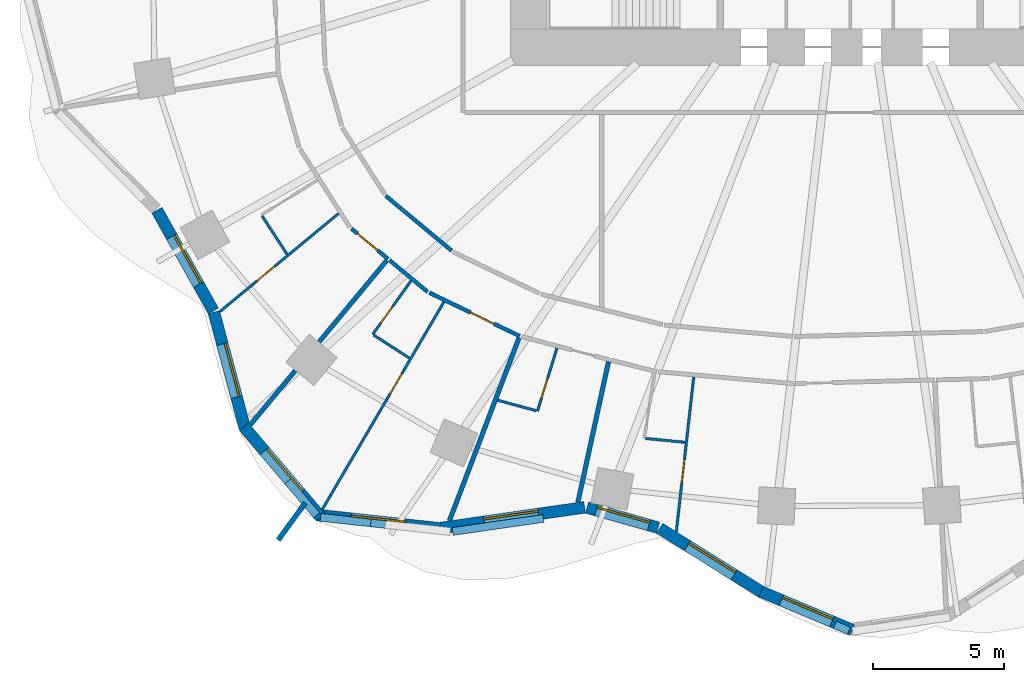
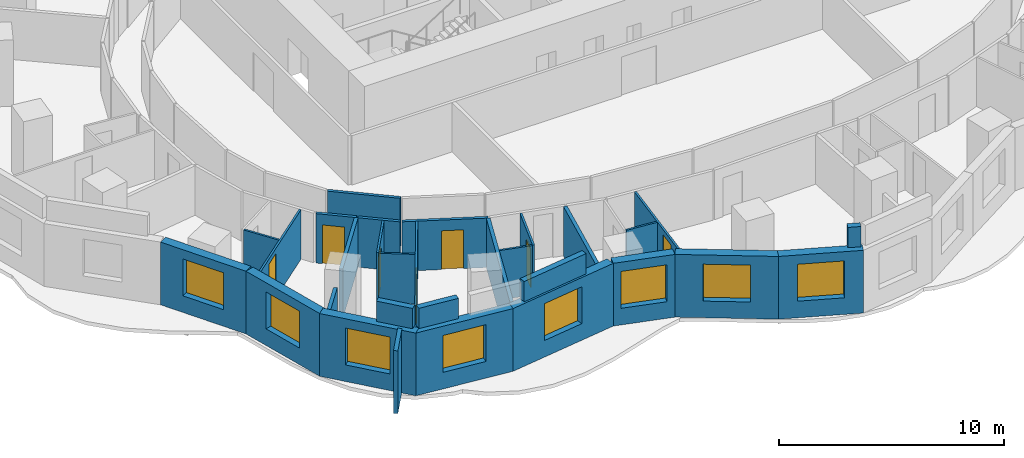
# One storey, part 3 of 11: 30 walls, 8 windows, 7 doors, 15 openings.
"""IFC4 building model written with IfcOpenShell, lengths in metres."""

from ifc_helpers import new_model, si_unit, direction, frame, frame_2d, origin, place, context, subcontext, project, spatial, rectangle, extrude, material, layer, layer_set, type_object, element, fill, save


model = new_model("IFC4")

# Units and contexts
model_context = context("Model", 3, precision=1e-05, world=origin(), true_north=direction((0.0, 1.0)))
body_context = subcontext(model_context, "Body", "Model", "MODEL_VIEW")
ifc_project = project(units=[si_unit("LENGTHUNIT", "METRE"), si_unit("AREAUNIT", "SQUARE_METRE"), si_unit("VOLUMEUNIT", "CUBIC_METRE"), si_unit("PLANEANGLEUNIT", "RADIAN"), si_unit("MASSUNIT", "GRAM", prefix="KILO")], contexts=[model_context])

# Site, building, storey
site_placement = place(None, origin())
site = spatial("IfcSite", under=ifc_project, at=site_placement, CompositionType="ELEMENT")
building_placement = place(site_placement, origin())
building = spatial("IfcBuilding", under=site, at=building_placement, Name="Rubra Terraces Tower", CompositionType="ELEMENT")
storey_placement = place(building_placement, frame((0.0, 0.0, 41.10009765625)))
storey = spatial("IfcBuildingStorey", under=building, at=storey_placement, Name="L07", CompositionType="ELEMENT", Elevation=41.10009765625)

# Walls
ifc_material_1 = material(Name="Twin plasterboard on staggered steel stud, acoustic mineral wool", Category="steel")
ifc_layer_1 = layer(ifc_material_1, 0.175048828125)
ifc_layer_set_1 = layer_set([ifc_layer_1], Name="Twin plasterboard on staggered steel stud, acoustic mineral wool")
wall_type_1 = type_object("IfcWallType", Name="ACOUSTIC PARTY WALL 175", PredefinedType="PARTITIONING", material=ifc_layer_set_1)
wall_1_placement = place(storey_placement, frame((-22.94677734375, -16.752197265625, 0.0), z_axis=(0.0, 0.0, 1.0), x_axis=(0.638756388383, 0.769409043552, 0.0)))
element("IfcWall", 1, at=wall_1_placement, inside=storey, type_object=wall_type_1, Name="PARTITION", PredefinedType="PARTITIONING", context=body_context, shape_type="SweptSolid", body=[
    extrude(rectangle(XDim=2.692626953125, YDim=0.175048828125, at=frame_2d((1.34619140625, 0.0))), origin(), (0.0, 0.0, 1.0), 2.679931640625),
])
wall_2_placement = place(storey_placement, frame((-20.306884765625, -13.572509765625, 0.0), z_axis=(0.0, 0.0, 1.0), x_axis=(0.638745932991, 0.769417723404, 0.0)))
element("IfcWall", 2, at=wall_2_placement, inside=storey, type_object=wall_type_1, Name="PARTITION", PredefinedType="PARTITIONING", context=body_context, shape_type="SweptSolid", body=[
    extrude(rectangle(XDim=4.043212890625, YDim=0.175048828125, at=frame_2d((2.021484375, 0.0))), origin(), (0.0, 0.0, 1.0), 2.679931640625),
])
wall_3_placement = place(storey_placement, frame((-15.32666015625, -20.418701171875, 0.0), z_axis=(0.0, 0.0, 1.0), x_axis=(0.355489175899, 0.934680397686, 0.0)))
element("IfcWall", 3, at=wall_3_placement, inside=storey, type_object=wall_type_1, Name="PARTITION", PredefinedType="PARTITIONING", context=body_context, shape_type="SweptSolid", body=[
    extrude(rectangle(XDim=7.482421875, YDim=0.175048828125, at=frame_2d((3.7412109375, 0.0))), origin(), (0.0, 0.0, 1.0), 2.679931640625),
])
wall_4_placement = place(storey_placement, frame((-10.411376953125, -19.7099609375, 0.0), z_axis=(0.0, 0.0, 1.0), x_axis=(0.212604515052, 0.977138332162, 0.0)))
element("IfcWall", 4, at=wall_4_placement, inside=storey, type_object=wall_type_1, Name="PARTITION", PredefinedType="PARTITIONING", context=body_context, shape_type="SweptSolid", body=[
    extrude(rectangle(XDim=5.50634765625, YDim=0.175048828125, at=frame_2d((2.753173828125, 0.0))), origin(), (0.0, 0.0, 1.0), 2.679931640625),
])

# Wall, opening, window
ifc_material_2 = material(Name="Brick masonry red-brown", Category="masonry")
ifc_layer_2 = layer(ifc_material_2, 0.449951171875)
ifc_layer_set_2 = layer_set([ifc_layer_2], Name="Brick masonry red-brown")
wall_type_2 = type_object("IfcWallType", Name="Brick facade wall 450", PredefinedType="SOLIDWALL", material=ifc_layer_set_2)
wall_5_placement = place(storey_placement, frame((-26.513671875, -8.541015625, 0.0), z_axis=(0.0, 0.0, 1.0), x_axis=(0.488504028898, -0.87256163894, 0.0)))
wall_5 = element("IfcWall", 5, at=wall_5_placement, inside=storey, type_object=wall_type_2, Name="Facade wall L07 bay 23", PredefinedType="SOLIDWALL", context=body_context, shape_type="SweptSolid", body=[
    extrude(rectangle(XDim=4.41552734375, YDim=0.449951171875, at=frame_2d((2.207763671875, 0.0))), origin(), (0.0, 0.0, 1.0), 3.39990234375),
])
opening_1_placement = place(wall_5_placement, frame((1.15771484375, 0.0, 0.89990234375)))
opening_1 = element("IfcOpeningElement", 6, at=opening_1_placement, cuts=wall_5, Name="Opening W1", PredefinedType="OPENING", context=body_context, shape_type="SweptSolid", body=[
    extrude(rectangle(XDim=2.10009765625, YDim=2.0, at=frame_2d((1.050048828125, 1.0))), frame((0.0, 0.23486328125, 0.0), z_axis=(0.0, -1.0, 0.0), x_axis=(1.0, 0.0, 0.0)), (0.0, 0.0, 1.0), 0.469970703125),
])
ifc_material_3 = material(Name="Clear glass in aluminium frame", Category="aluminium")
window_type = type_object("IfcWindowType", Name="Fixed deep-set window 2100 x 2000", PartitioningType="SINGLE_PANEL", PredefinedType="WINDOW", material=ifc_material_3)
window_1_placement = place(opening_1_placement, origin())
window_1 = element("IfcWindow", 7, at=window_1_placement, inside=storey, type_object=window_type, Name="Window L07 bay 23", OverallHeight=2.0, OverallWidth=2.10009765625, PartitioningType="SINGLE_PANEL", PredefinedType="WINDOW", context=body_context, shape_type="SweptSolid", body=[
    extrude(rectangle(XDim=2.10009765625, YDim=2.0, at=frame_2d((1.050048828125, 1.0))), frame((0.0, 0.135009765625, 0.0), z_axis=(0.0, -1.0, 0.0), x_axis=(1.0, 0.0, 0.0)), (0.0, 0.0, 1.0), 0.06005859375),
])
fill(opening_1, window_1)

wall_6_placement = place(storey_placement, frame((-24.33740234375, -12.439453125, 0.0), z_axis=(0.0, 0.0, 1.0), x_axis=(0.258441377569, -0.966026942875, 0.0)))
wall_6 = element("IfcWall", 8, at=wall_6_placement, inside=storey, type_object=wall_type_2, Name="Facade wall L07 bay 24", PredefinedType="SOLIDWALL", context=body_context, shape_type="SweptSolid", body=[
    extrude(rectangle(XDim=4.6240234375, YDim=0.449951171875, at=frame_2d((2.31201171875, 0.0))), origin(), (0.0, 0.0, 1.0), 3.39990234375),
])
opening_2_placement = place(wall_6_placement, frame((1.26220703125, 0.0, 0.89990234375)))
opening_2 = element("IfcOpeningElement", 9, at=opening_2_placement, cuts=wall_6, Name="Opening W1", PredefinedType="OPENING", context=body_context, shape_type="SweptSolid", body=[
    extrude(rectangle(XDim=2.10009765625, YDim=2.0, at=frame_2d((1.050048828125, 1.0))), frame((0.0, 0.23486328125, 0.0), z_axis=(0.0, -1.0, 0.0), x_axis=(1.0, 0.0, 0.0)), (0.0, 0.0, 1.0), 0.469970703125),
])
window_2_placement = place(opening_2_placement, origin())
window_2 = element("IfcWindow", 10, at=window_2_placement, inside=storey, type_object=window_type, Name="Window L07 bay 24", OverallHeight=2.0, OverallWidth=2.10009765625, PartitioningType="SINGLE_PANEL", PredefinedType="WINDOW", context=body_context, shape_type="SweptSolid", body=[
    extrude(rectangle(XDim=2.10009765625, YDim=2.0, at=frame_2d((1.050048828125, 1.0))), frame((0.0, 0.135009765625, 0.0), z_axis=(0.0, -1.0, 0.0), x_axis=(1.0, 0.0, 0.0)), (0.0, 0.0, 1.0), 0.06005859375),
])
fill(opening_2, window_2)

wall_7_placement = place(storey_placement, frame((-23.186767578125, -16.8251953125, 0.0), z_axis=(0.0, 0.0, 1.0), x_axis=(0.648462985992, -0.761246186065, 0.0)))
wall_7 = element("IfcWall", 11, at=wall_7_placement, inside=storey, type_object=wall_type_2, Name="Facade wall L07 bay 25", PredefinedType="SOLIDWALL", context=body_context, shape_type="SweptSolid", body=[
    extrude(rectangle(XDim=4.53076171875, YDim=0.449951171875, at=frame_2d((2.265380859375, 0.0))), origin(), (0.0, 0.0, 1.0), 3.39990234375),
])
opening_3_placement = place(wall_7_placement, frame((1.21533203125, 0.0, 0.89990234375)))
opening_3 = element("IfcOpeningElement", 12, at=opening_3_placement, cuts=wall_7, Name="Opening W1", PredefinedType="OPENING", context=body_context, shape_type="SweptSolid", body=[
    extrude(rectangle(XDim=2.10009765625, YDim=2.0, at=frame_2d((1.050048828125, 1.0))), frame((0.0, 0.23486328125, 0.0), z_axis=(0.0, -1.0, 0.0), x_axis=(1.0, 0.0, 0.0)), (0.0, 0.0, 1.0), 0.469970703125),
])
window_3_placement = place(opening_3_placement, origin())
window_3 = element("IfcWindow", 13, at=window_3_placement, inside=storey, type_object=window_type, Name="Window L07 bay 25", OverallHeight=2.0, OverallWidth=2.10009765625, PartitioningType="SINGLE_PANEL", PredefinedType="WINDOW", context=body_context, shape_type="SweptSolid", body=[
    extrude(rectangle(XDim=2.10009765625, YDim=2.0, at=frame_2d((1.050048828125, 1.0))), frame((0.0, 0.135009765625, 0.0), z_axis=(0.0, -1.0, 0.0), x_axis=(1.0, 0.0, 0.0)), (0.0, 0.0, 1.0), 0.06005859375),
])
fill(opening_3, window_3)

wall_8_placement = place(storey_placement, frame((-20.3955078125, -20.1962890625, 0.0), z_axis=(0.0, 0.0, 1.0), x_axis=(0.994063142291, -0.108804729393, 0.0)))
wall_8 = element("IfcWall", 14, at=wall_8_placement, inside=storey, type_object=wall_type_2, Name="Facade wall L07 bay 26", PredefinedType="SOLIDWALL", context=body_context, shape_type="SweptSolid", body=[
    extrude(rectangle(XDim=4.727783203125, YDim=0.449951171875, at=frame_2d((2.36376953125, 0.0))), origin(), (0.0, 0.0, 1.0), 3.39990234375),
])
opening_4_placement = place(wall_8_placement, frame((1.31396484375, 0.0, 0.89990234375)))
opening_4 = element("IfcOpeningElement", 15, at=opening_4_placement, cuts=wall_8, Name="Opening W1", PredefinedType="OPENING", context=body_context, shape_type="SweptSolid", body=[
    extrude(rectangle(XDim=2.10009765625, YDim=2.0, at=frame_2d((1.050048828125, 1.0))), frame((0.0, 0.23486328125, 0.0), z_axis=(0.0, -1.0, 0.0), x_axis=(1.0, 0.0, 0.0)), (0.0, 0.0, 1.0), 0.469970703125),
])
window_4_placement = place(opening_4_placement, origin())
window_4 = element("IfcWindow", 16, at=window_4_placement, inside=storey, type_object=window_type, Name="Window L07 bay 26", OverallHeight=2.0, OverallWidth=2.10009765625, PartitioningType="SINGLE_PANEL", PredefinedType="WINDOW", context=body_context, shape_type="SweptSolid", body=[
    extrude(rectangle(XDim=2.10009765625, YDim=2.0, at=frame_2d((1.050048828125, 1.0))), frame((0.0, 0.135009765625, 0.0), z_axis=(0.0, -1.0, 0.0), x_axis=(1.0, 0.0, 0.0)), (0.0, 0.0, 1.0), 0.06005859375),
])
fill(opening_4, window_4)

wall_9_placement = place(storey_placement, frame((-15.752197265625, -20.71142578125, 0.0), z_axis=(0.0, 0.0, 1.0), x_axis=(0.989761192351, 0.142733255115, 0.0)))
wall_9 = element("IfcWall", 17, at=wall_9_placement, inside=storey, type_object=wall_type_2, Name="Facade wall L07 bay 27", PredefinedType="SOLIDWALL", context=body_context, shape_type="SweptSolid", body=[
    extrude(rectangle(XDim=5.653076171875, YDim=0.449951171875, at=frame_2d((2.82666015625, 0.0))), origin(), (0.0, 0.0, 1.0), 3.39990234375),
])
opening_5_placement = place(wall_9_placement, frame((1.776611328125, 0.0, 0.89990234375)))
opening_5 = element("IfcOpeningElement", 18, at=opening_5_placement, cuts=wall_9, Name="Opening W1", PredefinedType="OPENING", context=body_context, shape_type="SweptSolid", body=[
    extrude(rectangle(XDim=2.10009765625, YDim=2.0, at=frame_2d((1.050048828125, 1.0))), frame((0.0, 0.23486328125, 0.0), z_axis=(0.0, -1.0, 0.0), x_axis=(1.0, 0.0, 0.0)), (0.0, 0.0, 1.0), 0.469970703125),
])
window_5_placement = place(opening_5_placement, origin())
window_5 = element("IfcWindow", 19, at=window_5_placement, inside=storey, type_object=window_type, Name="Window L07 bay 27", OverallHeight=2.0, OverallWidth=2.10009765625, PartitioningType="SINGLE_PANEL", PredefinedType="WINDOW", context=body_context, shape_type="SweptSolid", body=[
    extrude(rectangle(XDim=2.10009765625, YDim=2.0, at=frame_2d((1.050048828125, 1.0))), frame((0.0, 0.135009765625, 0.0), z_axis=(0.0, -1.0, 0.0), x_axis=(1.0, 0.0, 0.0)), (0.0, 0.0, 1.0), 0.06005859375),
])
fill(opening_5, window_5)

wall_10_placement = place(storey_placement, frame((-10.063232421875, -19.910888671875, 0.0), z_axis=(0.0, 0.0, 1.0), x_axis=(0.961982029567, -0.273112751057, 0.0)))
wall_10 = element("IfcWall", 20, at=wall_10_placement, inside=storey, type_object=wall_type_2, Name="Facade wall L07 bay 28", PredefinedType="SOLIDWALL", context=body_context, shape_type="SweptSolid", body=[
    extrude(rectangle(XDim=2.827392578125, YDim=0.449951171875, at=frame_2d((1.41357421875, 0.0))), origin(), (0.0, 0.0, 1.0), 3.39990234375),
])
opening_6_placement = place(wall_10_placement, frame((0.36376953125, 0.0, 0.89990234375)))
opening_6 = element("IfcOpeningElement", 21, at=opening_6_placement, cuts=wall_10, Name="Opening W1", PredefinedType="OPENING", context=body_context, shape_type="SweptSolid", body=[
    extrude(rectangle(XDim=2.10009765625, YDim=2.0, at=frame_2d((1.050048828125, 1.0))), frame((0.0, 0.23486328125, 0.0), z_axis=(0.0, -1.0, 0.0), x_axis=(1.0, 0.0, 0.0)), (0.0, 0.0, 1.0), 0.469970703125),
])
window_6_placement = place(opening_6_placement, origin())
window_6 = element("IfcWindow", 22, at=window_6_placement, inside=storey, type_object=window_type, Name="Window L07 bay 28", OverallHeight=2.0, OverallWidth=2.10009765625, PartitioningType="SINGLE_PANEL", PredefinedType="WINDOW", context=body_context, shape_type="SweptSolid", body=[
    extrude(rectangle(XDim=2.10009765625, YDim=2.0, at=frame_2d((1.050048828125, 1.0))), frame((0.0, 0.135009765625, 0.0), z_axis=(0.0, -1.0, 0.0), x_axis=(1.0, 0.0, 0.0)), (0.0, 0.0, 1.0), 0.06005859375),
])
fill(opening_6, window_6)

wall_11_placement = place(storey_placement, frame((-7.28564453125, -20.70849609375, 0.0), z_axis=(0.0, 0.0, 1.0), x_axis=(0.848420894374, -0.529322194878, 0.0)))
wall_11 = element("IfcWall", 23, at=wall_11_placement, inside=storey, type_object=wall_type_2, Name="Facade wall L07 bay 29", PredefinedType="SOLIDWALL", context=body_context, shape_type="SweptSolid", body=[
    extrude(rectangle(XDim=4.60595703125, YDim=0.449951171875, at=frame_2d((2.302978515625, 0.0))), origin(), (0.0, 0.0, 1.0), 3.39990234375),
])
opening_7_placement = place(wall_11_placement, frame((1.2529296875, 0.0, 0.89990234375)))
opening_7 = element("IfcOpeningElement", 24, at=opening_7_placement, cuts=wall_11, Name="Opening W1", PredefinedType="OPENING", context=body_context, shape_type="SweptSolid", body=[
    extrude(rectangle(XDim=2.10009765625, YDim=2.0, at=frame_2d((1.050048828125, 1.0))), frame((0.0, 0.23486328125, 0.0), z_axis=(0.0, -1.0, 0.0), x_axis=(1.0, 0.0, 0.0)), (0.0, 0.0, 1.0), 0.469970703125),
])
window_7_placement = place(opening_7_placement, origin())
window_7 = element("IfcWindow", 25, at=window_7_placement, inside=storey, type_object=window_type, Name="Window L07 bay 29", OverallHeight=2.0, OverallWidth=2.10009765625, PartitioningType="SINGLE_PANEL", PredefinedType="WINDOW", context=body_context, shape_type="SweptSolid", body=[
    extrude(rectangle(XDim=2.10009765625, YDim=2.0, at=frame_2d((1.050048828125, 1.0))), frame((0.0, 0.135009765625, 0.0), z_axis=(0.0, -1.0, 0.0), x_axis=(1.0, 0.0, 0.0)), (0.0, 0.0, 1.0), 0.06005859375),
])
fill(opening_7, window_7)

wall_12_placement = place(storey_placement, frame((-3.409912109375, -23.130126953125, 0.0), z_axis=(0.0, 0.0, 1.0), x_axis=(0.921914994676, -0.387392233521, 0.0)))
wall_12 = element("IfcWall", 26, at=wall_12_placement, inside=storey, type_object=wall_type_2, Name="Facade wall L07 bay 30", PredefinedType="SOLIDWALL", context=body_context, shape_type="SweptSolid", body=[
    extrude(rectangle(XDim=3.793212890625, YDim=0.449951171875, at=frame_2d((1.896484375, 0.0))), origin(), (0.0, 0.0, 1.0), 3.39990234375),
])
opening_8_placement = place(wall_12_placement, frame((0.8466796875, 0.0, 0.89990234375)))
opening_8 = element("IfcOpeningElement", 27, at=opening_8_placement, cuts=wall_12, Name="Opening W1", PredefinedType="OPENING", context=body_context, shape_type="SweptSolid", body=[
    extrude(rectangle(XDim=2.10009765625, YDim=2.0, at=frame_2d((1.050048828125, 1.0))), frame((0.0, 0.23486328125, 0.0), z_axis=(0.0, -1.0, 0.0), x_axis=(1.0, 0.0, 0.0)), (0.0, 0.0, 1.0), 0.469970703125),
])
window_8_placement = place(opening_8_placement, origin())
window_8 = element("IfcWindow", 28, at=window_8_placement, inside=storey, type_object=window_type, Name="Window L07 bay 30", OverallHeight=2.0, OverallWidth=2.10009765625, PartitioningType="SINGLE_PANEL", PredefinedType="WINDOW", context=body_context, shape_type="SweptSolid", body=[
    extrude(rectangle(XDim=2.10009765625, YDim=2.0, at=frame_2d((1.050048828125, 1.0))), frame((0.0, 0.135009765625, 0.0), z_axis=(0.0, -1.0, 0.0), x_axis=(1.0, 0.0, 0.0)), (0.0, 0.0, 1.0), 0.06005859375),
])
fill(opening_8, window_8)

# Walls
ifc_layer_3 = layer(ifc_material_2, 0.300048828125)
ifc_layer_set_3 = layer_set([ifc_layer_3], Name="Brick masonry red-brown")
wall_type_3 = type_object("IfcWallType", Name="Brick parapet 300", PredefinedType="PARAPET", material=ifc_layer_set_3)
wall_13_placement = place(storey_placement, frame((-21.5126953125, -18.906005859375, 3.599853515625), z_axis=(0.0, 0.0, 1.0), x_axis=(0.648451151452, -0.761256267088, 0.0)))
element("IfcWall", 29, at=wall_13_placement, inside=storey, type_object=wall_type_3, Name="Parapet L07 bay 25", PredefinedType="PARAPET", context=body_context, shape_type="SweptSolid", body=[
    extrude(rectangle(XDim=1.7119140625, YDim=0.300048828125, at=frame_2d((0.85595703125, 0.0))), origin(), (0.0, 0.0, 1.0), 1.10009765625),
])
wall_14_placement = place(storey_placement, frame((-20.25537109375, -20.287109375, 3.599853515625), z_axis=(0.0, 0.0, 1.0), x_axis=(0.994062724773, -0.108808543863, 0.0)))
element("IfcWall", 30, at=wall_14_placement, inside=storey, type_object=wall_type_3, Name="Parapet L07 bay 26", PredefinedType="PARAPET", context=body_context, shape_type="SweptSolid", body=[
    extrude(rectangle(XDim=1.931884765625, YDim=0.300048828125, at=frame_2d((0.9658203125, 0.0))), origin(), (0.0, 0.0, 1.0), 1.10009765625),
])
wall_15_placement = place(storey_placement, frame((-15.201171875, -20.827880859375, 3.599853515625), z_axis=(0.0, 0.0, 1.0), x_axis=(0.989761856496, 0.142728649634, 0.0)))
element("IfcWall", 31, at=wall_15_placement, inside=storey, type_object=wall_type_3, Name="Parapet L07 bay 27", PredefinedType="PARAPET", context=body_context, shape_type="SweptSolid", body=[
    extrude(rectangle(XDim=3.503173828125, YDim=0.300048828125, at=frame_2d((1.75146484375, 0.0))), origin(), (0.0, 0.0, 1.0), 1.10009765625),
])
wall_16_placement = place(storey_placement, frame((-0.585693359375, -24.398193359375, 3.599853515625), z_axis=(0.0, 0.0, 1.0), x_axis=(0.921949320844, -0.387310534062, 0.0)))
element("IfcWall", 32, at=wall_16_placement, inside=storey, type_object=wall_type_3, Name="Parapet L07 bay 30", PredefinedType="PARAPET", context=body_context, shape_type="SweptSolid", body=[
    extrude(rectangle(XDim=0.5849609375, YDim=0.300048828125, at=frame_2d((0.29248046875, 0.0))), origin(), (0.0, 0.0, 1.0), 1.10009765625),
])
ifc_layer_4 = layer(ifc_material_2, 0.199951171875)
ifc_layer_set_4 = layer_set([ifc_layer_4], Name="Brick masonry red-brown")
wall_type_4 = type_object("IfcWallType", Name="Brick wind fin 200", PredefinedType="SOLIDWALL", material=ifc_layer_set_4)
wall_17_placement = place(storey_placement, frame((-20.845947265625, -19.739013671875, 0.0), z_axis=(0.0, 0.0, 1.0), x_axis=(-0.587607490034, -0.809146116382, 0.0)))
element("IfcWall", 33, at=wall_17_placement, inside=storey, type_object=wall_type_4, Name="Wind fin L07 15", PredefinedType="SOLIDWALL", context=body_context, shape_type="SweptSolid", body=[
    extrude(rectangle(XDim=1.75, YDim=0.199951171875, at=frame_2d((0.875, 0.0))), origin(), (0.0, 0.0, 1.0), 3.39990234375),
])

# Wall, opening, door
ifc_material_4 = material(Name="Plasterboard on steel stud, mineral wool infill", Category="steel")
ifc_layer_5 = layer(ifc_material_4, 0.14990234375)
ifc_layer_set_5 = layer_set([ifc_layer_5], Name="Plasterboard on steel stud, mineral wool infill")
wall_type_5 = type_object("IfcWallType", Name="CORRIDOR PARTITION 150", PredefinedType="PARTITIONING", material=ifc_layer_set_5)
wall_18_placement = place(storey_placement, frame((-19.07421875, -9.2412109375, 0.0), z_axis=(0.0, 0.0, 1.0), x_axis=(0.768804347125, -0.639484070045, 0.0)))
wall_18 = element("IfcWall", 34, at=wall_18_placement, inside=storey, type_object=wall_type_5, Name="PARTITION", PredefinedType="PARTITIONING", context=body_context, shape_type="SweptSolid", body=[
    extrude(rectangle(XDim=1.818115234375, YDim=0.14990234375, at=frame_2d((0.9091796875, 0.0))), origin(), (0.0, 0.0, 1.0), 2.679931640625),
])
opening_9_placement = place(wall_18_placement, frame((0.300048828125, 0.0, 0.0)))
opening_9 = element("IfcOpeningElement", 35, at=opening_9_placement, cuts=wall_18, Name="Opening 07-121", PredefinedType="OPENING", context=body_context, shape_type="SweptSolid", body=[
    extrude(rectangle(XDim=1.0, YDim=2.10009765625, at=frame_2d((0.5, 1.050048828125))), frame((0.0, 0.0849609375, 0.0), z_axis=(0.0, -1.0, 0.0), x_axis=(1.0, 0.0, 0.0)), (0.0, 0.0, 1.0), 0.169921875),
])
ifc_material_5 = material(Name="Painted timber door leaf", Category="wood")
door_type_1 = type_object("IfcDoorType", Name="ROOM DOOR 1000 X 2100", OperationType="SINGLE_SWING_LEFT", PredefinedType="DOOR", material=ifc_material_5)
door_1_placement = place(opening_9_placement, origin())
door_1 = element("IfcDoor", 36, at=door_1_placement, inside=storey, type_object=door_type_1, Name="DOOR 07-121", OperationType="SINGLE_SWING_RIGHT", OverallHeight=2.10009765625, OverallWidth=1.0, PredefinedType="DOOR", context=body_context, shape_type="SweptSolid", body=[
    extrude(rectangle(XDim=1.0, YDim=2.10009765625, at=frame_2d((0.5, 1.050048828125))), frame((0.0, 0.02490234375, 0.0), z_axis=(0.0, -1.0, 0.0), x_axis=(1.0, 0.0, 0.0)), (0.0, 0.0, 1.0), 0.050048828125),
])
fill(opening_9, door_1)

# Wall
wall_19_placement = place(storey_placement, frame((-17.61865234375, -10.451904296875, 0.0), z_axis=(0.0, 0.0, 1.0), x_axis=(0.768812267967, -0.639474547284, 0.0)))
element("IfcWall", 37, at=wall_19_placement, inside=storey, type_object=wall_type_5, Name="PARTITION", PredefinedType="PARTITIONING", context=body_context, shape_type="SweptSolid", body=[
    extrude(rectangle(XDim=1.895263671875, YDim=0.14990234375, at=frame_2d((0.94775390625, 0.0))), origin(), (0.0, 0.0, 1.0), 2.679931640625),
])

# Wall, opening, door
wall_20_placement = place(storey_placement, frame((-16.093994140625, -11.6962890625, 0.0), z_axis=(0.0, 0.0, 1.0), x_axis=(0.901437528344, -0.432909208141, 0.0)))
wall_20 = element("IfcWall", 38, at=wall_20_placement, inside=storey, type_object=wall_type_5, Name="PARTITION", PredefinedType="PARTITIONING", context=body_context, shape_type="SweptSolid", body=[
    extrude(rectangle(XDim=3.83154296875, YDim=0.14990234375, at=frame_2d((1.915771484375, 0.0))), origin(), (0.0, 0.0, 1.0), 2.679931640625),
])
opening_10_placement = place(wall_20_placement, frame((1.74609375, 0.0, 0.0)))
opening_10 = element("IfcOpeningElement", 39, at=opening_10_placement, cuts=wall_20, Name="Opening 07-124", PredefinedType="OPENING", context=body_context, shape_type="SweptSolid", body=[
    extrude(rectangle(XDim=1.0, YDim=2.10009765625, at=frame_2d((0.5, 1.050048828125))), frame((0.0, 0.0849609375, 0.0), z_axis=(0.0, -1.0, 0.0), x_axis=(1.0, 0.0, 0.0)), (0.0, 0.0, 1.0), 0.169921875),
])
door_2_placement = place(opening_10_placement, origin())
door_2 = element("IfcDoor", 40, at=door_2_placement, inside=storey, type_object=door_type_1, Name="DOOR 07-124", OperationType="SINGLE_SWING_RIGHT", OverallHeight=2.10009765625, OverallWidth=1.0, PredefinedType="DOOR", context=body_context, shape_type="SweptSolid", body=[
    extrude(rectangle(XDim=1.0, YDim=2.10009765625, at=frame_2d((0.5, 1.050048828125))), frame((0.0, 0.02490234375, 0.0), z_axis=(0.0, -1.0, 0.0), x_axis=(1.0, 0.0, 0.0)), (0.0, 0.0, 1.0), 0.050048828125),
])
fill(opening_10, door_2)

# Wall
wall_21_placement = place(storey_placement, frame((-15.239501953125, -10.089599609375, 0.0), z_axis=(0.0, 0.0, 1.0), x_axis=(-0.768799656378, 0.639489709341, 0.0)))
element("IfcWall", 41, at=wall_21_placement, inside=storey, type_object=wall_type_5, Name="PARTITION", PredefinedType="PARTITIONING", context=body_context, shape_type="SweptSolid", body=[
    extrude(rectangle(XDim=3.28515625, YDim=0.14990234375, at=frame_2d((1.642578125, 0.0))), origin(), (0.0, 0.0, 1.0), 2.679931640625),
])

# Wall, opening, door
ifc_material_6 = material(Name="Plasterboard on steel stud", Category="steel")
ifc_layer_6 = layer(ifc_material_6, 0.10009765625)
ifc_layer_set_6 = layer_set([ifc_layer_6], Name="Plasterboard on steel stud")
wall_type_6 = type_object("IfcWallType", Name="ROOM PARTITION 100", PredefinedType="PARTITIONING", material=ifc_layer_set_6)
wall_22_placement = place(storey_placement, frame((-24.109619140625, -12.42041015625, 0.0), z_axis=(0.0, 0.0, 1.0), x_axis=(0.770727693234, 0.637164674855, 0.0)))
wall_22 = element("IfcWall", 42, at=wall_22_placement, inside=storey, type_object=wall_type_6, Name="PARTITION", PredefinedType="PARTITIONING", context=body_context, shape_type="SweptSolid", body=[
    extrude(rectangle(XDim=5.90234375, YDim=0.10009765625, at=frame_2d((2.951171875, 0.0))), origin(), (0.0, 0.0, 1.0), 2.679931640625),
])
opening_11_placement = place(wall_22_placement, frame((1.826904296875, 0.0, 0.0)))
opening_11 = element("IfcOpeningElement", 43, at=opening_11_placement, cuts=wall_22, Name="Opening 07-120", PredefinedType="OPENING", context=body_context, shape_type="SweptSolid", body=[
    extrude(rectangle(XDim=0.89990234375, YDim=2.39990234375, at=frame_2d((0.449951171875, 1.199951171875))), frame((0.0, 0.06005859375, 0.0), z_axis=(0.0, -1.0, 0.0), x_axis=(1.0, 0.0, 0.0)), (0.0, 0.0, 1.0), 0.1201171875),
])
ifc_material_7 = material(Name="Veneered timber door leaf, fire-rated", Category="wood")
door_type_2 = type_object("IfcDoorType", Name="SUITE ENTRANCE DOOR 900 X 2400", OperationType="SINGLE_SWING_LEFT", PredefinedType="DOOR", material=ifc_material_7)
door_3_placement = place(opening_11_placement, origin())
door_3 = element("IfcDoor", 44, at=door_3_placement, inside=storey, type_object=door_type_2, Name="DOOR 07-120", OperationType="SINGLE_SWING_LEFT", OverallHeight=2.39990234375, OverallWidth=0.89990234375, PredefinedType="DOOR", context=body_context, shape_type="SweptSolid", body=[
    extrude(rectangle(XDim=0.89990234375, YDim=2.39990234375, at=frame_2d((0.449951171875, 1.199951171875))), frame((0.0, 0.02490234375, 0.0), z_axis=(0.0, -1.0, 0.0), x_axis=(1.0, 0.0, 0.0)), (0.0, 0.0, 1.0), 0.050048828125),
])
fill(opening_11, door_3)

# Wall
wall_23_placement = place(storey_placement, frame((-22.489990234375, -8.76220703125, 0.0), z_axis=(0.0, 0.0, 1.0), x_axis=(0.546685040311, -0.837338322723, 0.0)))
element("IfcWall", 45, at=wall_23_placement, inside=storey, type_object=wall_type_6, Name="PARTITION", PredefinedType="PARTITIONING", context=body_context, shape_type="SweptSolid", body=[
    extrude(rectangle(XDim=1.748779296875, YDim=0.10009765625, at=frame_2d((0.87451171875, 0.0))), origin(), (0.0, 0.0, 1.0), 2.679931640625),
])

# Wall, opening, door
wall_24_placement = place(storey_placement, frame((-20.191162109375, -19.98828125, 0.0), z_axis=(0.0, 0.0, 1.0), x_axis=(0.505606503024, 0.862764199594, 0.0)))
wall_24 = element("IfcWall", 46, at=wall_24_placement, inside=storey, type_object=wall_type_6, Name="PARTITION", PredefinedType="PARTITIONING", context=body_context, shape_type="SweptSolid", body=[
    extrude(rectangle(XDim=9.204833984375, YDim=0.10009765625, at=frame_2d((4.6025390625, 0.0))), origin(), (0.0, 0.0, 1.0), 2.679931640625),
])
opening_12_placement = place(wall_24_placement, frame((5.1298828125, 0.0, 0.0)))
opening_12 = element("IfcOpeningElement", 47, at=opening_12_placement, cuts=wall_24, Name="Opening 07-123", PredefinedType="OPENING", context=body_context, shape_type="SweptSolid", body=[
    extrude(rectangle(XDim=0.89990234375, YDim=2.39990234375, at=frame_2d((0.449951171875, 1.199951171875))), frame((0.0, 0.06005859375, 0.0), z_axis=(0.0, -1.0, 0.0), x_axis=(1.0, 0.0, 0.0)), (0.0, 0.0, 1.0), 0.1201171875),
])
door_4_placement = place(opening_12_placement, origin())
door_4 = element("IfcDoor", 48, at=door_4_placement, inside=storey, type_object=door_type_2, Name="DOOR 07-123", OperationType="SINGLE_SWING_LEFT", OverallHeight=2.39990234375, OverallWidth=0.89990234375, PredefinedType="DOOR", context=body_context, shape_type="SweptSolid", body=[
    extrude(rectangle(XDim=0.89990234375, YDim=2.39990234375, at=frame_2d((0.449951171875, 1.199951171875))), frame((0.0, 0.02490234375, 0.0), z_axis=(0.0, -1.0, 0.0), x_axis=(1.0, 0.0, 0.0)), (0.0, 0.0, 1.0), 0.050048828125),
])
fill(opening_12, door_4)

wall_25_placement = place(storey_placement, frame((-16.79345703125, -11.235595703125, 0.0), z_axis=(0.0, 0.0, 1.0), x_axis=(-0.581274776932, -0.813707339098, 0.0)))
wall_25 = element("IfcWall", 49, at=wall_25_placement, inside=storey, type_object=wall_type_6, Name="PARTITION", PredefinedType="PARTITIONING", context=body_context, shape_type="SweptSolid", body=[
    extrude(rectangle(XDim=2.525146484375, YDim=0.10009765625, at=frame_2d((1.2626953125, 0.0))), origin(), (0.0, 0.0, 1.0), 2.679931640625),
])
opening_13_placement = place(wall_25_placement, frame((1.199951171875, 0.0, 0.0)))
opening_13 = element("IfcOpeningElement", 50, at=opening_13_placement, cuts=wall_25, Name="Opening 07-122", PredefinedType="OPENING", context=body_context, shape_type="SweptSolid", body=[
    extrude(rectangle(XDim=0.800048828125, YDim=2.10009765625, at=frame_2d((0.39990234375, 1.050048828125))), frame((0.0, 0.06005859375, 0.0), z_axis=(0.0, -1.0, 0.0), x_axis=(1.0, 0.0, 0.0)), (0.0, 0.0, 1.0), 0.1201171875),
])
door_type_3 = type_object("IfcDoorType", Name="BATHROOM DOOR 800 X 2100", OperationType="SINGLE_SWING_LEFT", PredefinedType="DOOR", material=ifc_material_5)
door_5_placement = place(opening_13_placement, origin())
door_5 = element("IfcDoor", 51, at=door_5_placement, inside=storey, type_object=door_type_3, Name="DOOR 07-122", OperationType="SINGLE_SWING_LEFT", OverallHeight=2.10009765625, OverallWidth=0.800048828125, PredefinedType="DOOR", context=body_context, shape_type="SweptSolid", body=[
    extrude(rectangle(XDim=0.800048828125, YDim=2.10009765625, at=frame_2d((0.39990234375, 1.050048828125))), frame((0.0, 0.02490234375, 0.0), z_axis=(0.0, -1.0, 0.0), x_axis=(1.0, 0.0, 0.0)), (0.0, 0.0, 1.0), 0.050048828125),
])
fill(opening_13, door_5)

# Wall
wall_26_placement = place(storey_placement, frame((-18.21923828125, -13.3173828125, 0.0), z_axis=(0.0, 0.0, 1.0), x_axis=(0.84003794968, -0.542527642703, 0.0)))
element("IfcWall", 52, at=wall_26_placement, inside=storey, type_object=wall_type_6, Name="PARTITION", PredefinedType="PARTITIONING", context=body_context, shape_type="SweptSolid", body=[
    extrude(rectangle(XDim=1.623291015625, YDim=0.10009765625, at=frame_2d((0.8115234375, 0.0))), origin(), (0.0, 0.0, 1.0), 2.679931640625),
])

# Wall, opening, door
wall_27_placement = place(storey_placement, frame((-11.2119140625, -13.809326171875, 0.0), z_axis=(0.0, 0.0, 1.0), x_axis=(-0.29555978334, -0.955324245726, 0.0)))
wall_27 = element("IfcWall", 53, at=wall_27_placement, inside=storey, type_object=wall_type_6, Name="PARTITION", PredefinedType="PARTITIONING", context=body_context, shape_type="SweptSolid", body=[
    extrude(rectangle(XDim=2.525146484375, YDim=0.10009765625, at=frame_2d((1.2626953125, 0.0))), origin(), (0.0, 0.0, 1.0), 2.679931640625),
])
opening_14_placement = place(wall_27_placement, frame((1.199951171875, 0.0, 0.0)))
opening_14 = element("IfcOpeningElement", 54, at=opening_14_placement, cuts=wall_27, Name="Opening 07-125", PredefinedType="OPENING", context=body_context, shape_type="SweptSolid", body=[
    extrude(rectangle(XDim=0.800048828125, YDim=2.10009765625, at=frame_2d((0.39990234375, 1.050048828125))), frame((0.0, 0.06005859375, 0.0), z_axis=(0.0, -1.0, 0.0), x_axis=(1.0, 0.0, 0.0)), (0.0, 0.0, 1.0), 0.1201171875),
])
door_6_placement = place(opening_14_placement, origin())
door_6 = element("IfcDoor", 55, at=door_6_placement, inside=storey, type_object=door_type_3, Name="DOOR 07-125", OperationType="SINGLE_SWING_LEFT", OverallHeight=2.10009765625, OverallWidth=0.800048828125, PredefinedType="DOOR", context=body_context, shape_type="SweptSolid", body=[
    extrude(rectangle(XDim=0.800048828125, YDim=2.10009765625, at=frame_2d((0.39990234375, 1.050048828125))), frame((0.0, 0.02490234375, 0.0), z_axis=(0.0, -1.0, 0.0), x_axis=(1.0, 0.0, 0.0)), (0.0, 0.0, 1.0), 0.050048828125),
])
fill(opening_14, door_6)

# Wall
wall_28_placement = place(storey_placement, frame((-12.006591796875, -16.20849609375, 0.0), z_axis=(0.0, 0.0, 1.0), x_axis=(-0.965015941255, 0.262191214809, 0.0)))
element("IfcWall", 56, at=wall_28_placement, inside=storey, type_object=wall_type_6, Name="PARTITION", PredefinedType="PARTITIONING", context=body_context, shape_type="SweptSolid", body=[
    extrude(rectangle(XDim=1.539306640625, YDim=0.10009765625, at=frame_2d((0.76953125, 0.0))), origin(), (0.0, 0.0, 1.0), 2.679931640625),
])

# Wall, opening, door
wall_29_placement = place(storey_placement, frame((-6.648193359375, -20.83642578125, 0.0), z_axis=(0.0, 0.0, 1.0), x_axis=(0.11205867427, 0.993701591787, 0.0)))
wall_29 = element("IfcWall", 57, at=wall_29_placement, inside=storey, type_object=wall_type_6, Name="PARTITION", PredefinedType="PARTITIONING", context=body_context, shape_type="SweptSolid", body=[
    extrude(rectangle(XDim=5.9609375, YDim=0.10009765625, at=frame_2d((2.98046875, 0.0))), origin(), (0.0, 0.0, 1.0), 2.679931640625),
])
opening_15_placement = place(wall_29_placement, frame((1.885986328125, 0.0, 0.0)))
opening_15 = element("IfcOpeningElement", 58, at=opening_15_placement, cuts=wall_29, Name="Opening 07-128", PredefinedType="OPENING", context=body_context, shape_type="SweptSolid", body=[
    extrude(rectangle(XDim=0.89990234375, YDim=2.39990234375, at=frame_2d((0.449951171875, 1.199951171875))), frame((0.0, 0.06005859375, 0.0), z_axis=(0.0, -1.0, 0.0), x_axis=(1.0, 0.0, 0.0)), (0.0, 0.0, 1.0), 0.1201171875),
])
door_7_placement = place(opening_15_placement, origin())
door_7 = element("IfcDoor", 59, at=door_7_placement, inside=storey, type_object=door_type_2, Name="DOOR 07-128", OperationType="SINGLE_SWING_LEFT", OverallHeight=2.39990234375, OverallWidth=0.89990234375, PredefinedType="DOOR", context=body_context, shape_type="SweptSolid", body=[
    extrude(rectangle(XDim=0.89990234375, YDim=2.39990234375, at=frame_2d((0.449951171875, 1.199951171875))), frame((0.0, 0.02490234375, 0.0), z_axis=(0.0, -1.0, 0.0), x_axis=(1.0, 0.0, 0.0)), (0.0, 0.0, 1.0), 0.050048828125),
])
fill(opening_15, door_7)

# Wall
wall_30_placement = place(storey_placement, frame((-7.82470703125, -17.27001953125, 0.0), z_axis=(0.0, 0.0, 1.0), x_axis=(0.995291668022, -0.096925206043, 0.0)))
element("IfcWall", 60, at=wall_30_placement, inside=storey, type_object=wall_type_6, Name="PARTITION", PredefinedType="PARTITIONING", context=body_context, shape_type="SweptSolid", body=[
    extrude(rectangle(XDim=1.518798828125, YDim=0.10009765625, at=frame_2d((0.75927734375, 0.0))), origin(), (0.0, 0.0, 1.0), 2.679931640625),
])

save(model, "model.ifc")
